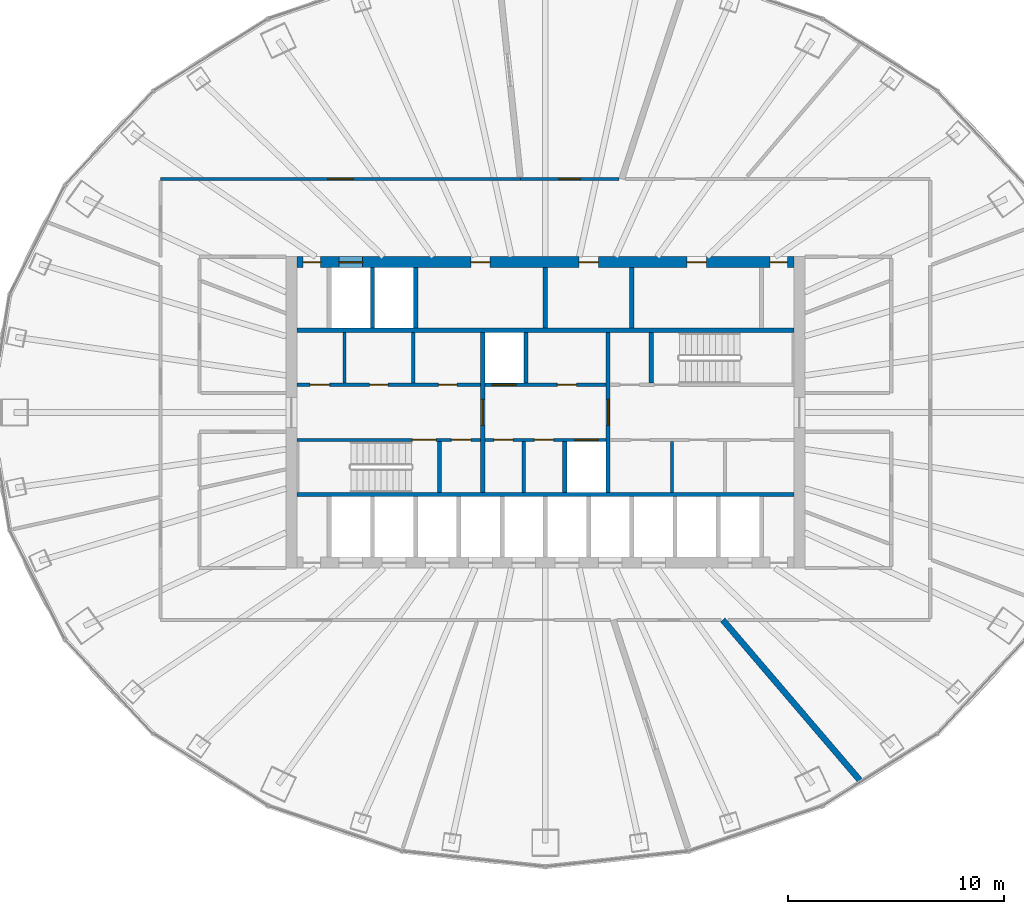
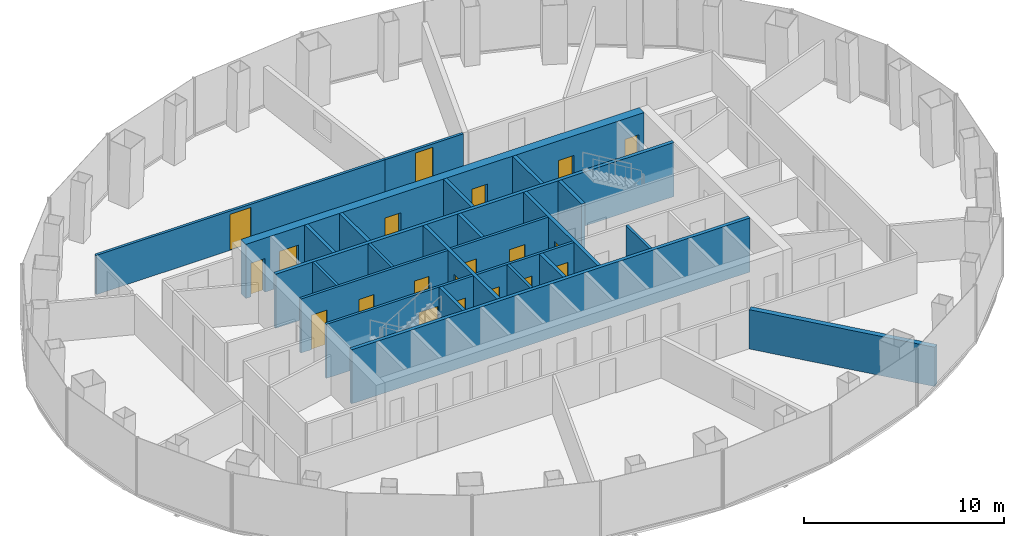
# One storey, part 9 of 12: 24 walls, 20 doors, 20 openings.
"""IFC4 building model written with IfcOpenShell, lengths in metres."""

from ifc_helpers import new_model, si_unit, direction, frame, frame_2d, origin, place, context, subcontext, project, spatial, rectangle, extrude, material, layer, layer_set, type_object, element, fill, save


model = new_model("IFC4")

# Units and contexts
model_context = context("Model", 3, precision=1e-05, world=origin(), true_north=direction((0.0, 1.0)))
body_context = subcontext(model_context, "Body", "Model", "MODEL_VIEW")
ifc_project = project(units=[si_unit("LENGTHUNIT", "METRE"), si_unit("AREAUNIT", "SQUARE_METRE"), si_unit("VOLUMEUNIT", "CUBIC_METRE"), si_unit("PLANEANGLEUNIT", "RADIAN"), si_unit("MASSUNIT", "GRAM", prefix="KILO")], contexts=[model_context])

# Site, building, storey
site_placement = place(None, origin())
site = spatial("IfcSite", under=ifc_project, at=site_placement, CompositionType="ELEMENT")
building_placement = place(site_placement, origin())
building = spatial("IfcBuilding", under=site, at=building_placement, Name="Siaravel Broadcast Tower", CompositionType="ELEMENT")
storey_placement = place(building_placement, frame((0.0, 0.0, 111.89990234375)))
storey = spatial("IfcBuildingStorey", under=building, at=storey_placement, Name="L26", CompositionType="ELEMENT", Elevation=111.89990234375)

# Walls
ifc_material_1 = material(Name="Double-leaf acoustic partition", Category="gypsum")
ifc_layer_1 = layer(ifc_material_1, 0.280029296875)
ifc_layer_set_1 = layer_set([ifc_layer_1], Name="Double-leaf acoustic partition")
wall_type_1 = type_object("IfcWallType", Name="Acoustic double-leaf wall 280", PredefinedType="PARTITIONING", material=ifc_layer_set_1)
wall_1_placement = place(storey_placement, frame((8.206298828125, -9.60009765625, 0.0), z_axis=(0.0, 0.0, 1.0), x_axis=(0.649790619, -0.760113249, 0.0)))
element("IfcWall", 1, at=wall_1_placement, inside=storey, type_object=wall_type_1, Name="L26 partition 8", PredefinedType="PARTITIONING", context=body_context, shape_type="SweptSolid", body=[
    extrude(rectangle(XDim=9.849853515625, YDim=0.280029296875, at=frame_2d((4.9248046875, 0.0))), origin(), (0.0, 0.0, 1.0), 2.400146484375),
])
ifc_material_2 = material(Name="Concrete blockwork", Category="masonry")
ifc_layer_2 = layer(ifc_material_2, 0.14990234375)
ifc_layer_set_2 = layer_set([ifc_layer_2], Name="Concrete blockwork")
wall_type_2 = type_object("IfcWallType", Name="Core partition 150", PredefinedType="PARTITIONING", material=ifc_layer_set_2)
for number, where, z_axis, x_axis, name in (
    (2, (-9.29296875, 1.35009765625, 0.0), (0.0, 0.0, 1.0), (0.0, 1.0, 0.0), "L26 core partition PNW0"),
    (3, (-6.10888671875, 1.35009765625, 0.0), (0.0, 0.0, 1.0), (0.0, 1.0, 0.0), "L26 core partition PNW1"),
    (4, (5.863037109375, -3.699951171875, 0.0), (0.0, 0.0, 1.0), (0.0, 1.0, 0.0), "L26 core partition PSE0"),
    (5, (-1.0, -3.699951171875, 0.0), (0.0, 0.0, 1.0), (0.0, 1.0, 0.0), "L26 core partition PSM0"),
):
    element("IfcWall", number, at=place(storey_placement, frame(where, z_axis=z_axis, x_axis=x_axis)), inside=storey, type_object=wall_type_2, Name=name, PredefinedType="PARTITIONING", context=body_context, shape_type="SweptSolid", body=[
        extrude(rectangle(XDim=2.349853515625, YDim=0.14990234375, at=frame_2d((1.1748046875, 0.0))), origin(), (0.0, 0.0, 1.0), 3.300048828125),
    ])
ifc_layer_3 = layer(ifc_material_2, 0.199951171875)
ifc_layer_set_3 = layer_set([ifc_layer_3], Name="Concrete blockwork")
wall_type_3 = type_object("IfcWallType", Name="Core partition 200", PredefinedType="PARTITIONING", material=ifc_layer_set_3)
for number, where, z_axis, x_axis, name in (
    (6, (0.0, 3.89990234375, 0.0), (0.0, 0.0, 1.0), (0.0, 1.0, 0.0), "L26 core partition PFN2"),
    (7, (4.0, 3.89990234375, 0.0), (0.0, 0.0, 1.0), (0.0, 1.0, 0.0), "L26 core partition PFN5"),
):
    element("IfcWall", number, at=place(storey_placement, frame(where, z_axis=z_axis, x_axis=x_axis)), inside=storey, type_object=wall_type_3, Name=name, PredefinedType="PARTITIONING", context=body_context, shape_type="SweptSolid", body=[
        extrude(rectangle(XDim=2.800048828125, YDim=0.199951171875, at=frame_2d((1.39990234375, 0.0))), origin(), (0.0, 0.0, 1.0), 3.300048828125),
    ])

# Wall, openings, doors
ifc_material_3 = material(Name="Concrete C60/75", Category="concrete")
ifc_layer_4 = layer(ifc_material_3, 0.5)
ifc_layer_set_4 = layer_set([ifc_layer_4], Name="Concrete C60/75")
wall_type_4 = type_object("IfcWallType", Name="Core wall 500", PredefinedType="SHEAR", material=ifc_layer_set_4)
wall_2_placement = place(storey_placement, frame((-11.5, 6.949951171875, 0.0), z_axis=(0.0, 0.0, 1.0), x_axis=(1.0, 0.0, 0.0)))
wall_2 = element("IfcWall", 8, at=wall_2_placement, inside=storey, type_object=wall_type_4, Name="L26 core wall ON", PredefinedType="SHEAR", context=body_context, shape_type="SweptSolid", body=[
    extrude(rectangle(XDim=23.0, YDim=0.5, at=frame_2d((11.5, 0.0))), origin(), (0.0, 0.0, 1.0), 3.300048828125),
])
opening_1_placement = place(wall_2_placement, frame((1.949951171875, 0.0, 0.0)))
opening_1 = element("IfcOpeningElement", 9, at=opening_1_placement, cuts=wall_2, Name="Opening LD-SV2-L26", PredefinedType="OPENING", context=body_context, shape_type="SweptSolid", body=[
    extrude(rectangle(XDim=1.10009765625, YDim=2.199951171875, at=frame_2d((0.550048828125, 1.10009765625))), frame((0.0, 0.260009765625, 0.0), z_axis=(0.0, -1.0, 0.0), x_axis=(1.0, 0.0, 0.0)), (0.0, 0.0, 1.0), 0.52001953125),
])
opening_2_placement = place(wall_2_placement, frame((8.050048828125, 0.0, 0.0)))
opening_2 = element("IfcOpeningElement", 10, at=opening_2_placement, cuts=wall_2, Name="Opening L26-DFN2", PredefinedType="OPENING", context=body_context, shape_type="SweptSolid", body=[
    extrude(rectangle(XDim=0.89990234375, YDim=2.10009765625, at=frame_2d((0.449951171875, 1.050048828125))), frame((0.0, 0.260009765625, 0.0), z_axis=(0.0, -1.0, 0.0), x_axis=(1.0, 0.0, 0.0)), (0.0, 0.0, 1.0), 0.52001953125),
])
opening_3_placement = place(wall_2_placement, frame((13.050048828125, 0.0, 0.0)))
opening_3 = element("IfcOpeningElement", 11, at=opening_3_placement, cuts=wall_2, Name="Opening L26-DFN5", PredefinedType="OPENING", context=body_context, shape_type="SweptSolid", body=[
    extrude(rectangle(XDim=0.89990234375, YDim=2.10009765625, at=frame_2d((0.449951171875, 1.050048828125))), frame((0.0, 0.260009765625, 0.0), z_axis=(0.0, -1.0, 0.0), x_axis=(1.0, 0.0, 0.0)), (0.0, 0.0, 1.0), 0.52001953125),
])
opening_4_placement = place(wall_2_placement, frame((18.050048828125, 0.0, 0.0)))
opening_4 = element("IfcOpeningElement", 12, at=opening_4_placement, cuts=wall_2, Name="Opening L26-DFN7", PredefinedType="OPENING", context=body_context, shape_type="SweptSolid", body=[
    extrude(rectangle(XDim=0.89990234375, YDim=2.10009765625, at=frame_2d((0.449951171875, 1.050048828125))), frame((0.0, 0.260009765625, 0.0), z_axis=(0.0, -1.0, 0.0), x_axis=(1.0, 0.0, 0.0)), (0.0, 0.0, 1.0), 0.52001953125),
])
opening_5_placement = place(wall_2_placement, frame((0.300048828125, 0.0, 0.0)))
opening_5 = element("IfcOpeningElement", 13, at=opening_5_placement, cuts=wall_2, Name="Opening L26-DRNW", PredefinedType="OPENING", context=body_context, shape_type="SweptSolid", body=[
    extrude(rectangle(XDim=0.800048828125, YDim=2.050048828125, at=frame_2d((0.39990234375, 1.02490234375))), frame((0.0, 0.260009765625, 0.0), z_axis=(0.0, -1.0, 0.0), x_axis=(1.0, 0.0, 0.0)), (0.0, 0.0, 1.0), 0.52001953125),
])
opening_6_placement = place(wall_2_placement, frame((21.89990234375, 0.0, 0.0)))
opening_6 = element("IfcOpeningElement", 14, at=opening_6_placement, cuts=wall_2, Name="Opening L26-DRNE", PredefinedType="OPENING", context=body_context, shape_type="SweptSolid", body=[
    extrude(rectangle(XDim=0.800048828125, YDim=2.050048828125, at=frame_2d((0.39990234375, 1.02490234375))), frame((0.0, 0.260009765625, 0.0), z_axis=(0.0, -1.0, 0.0), x_axis=(1.0, 0.0, 0.0)), (0.0, 0.0, 1.0), 0.52001953125),
])
ifc_material_4 = material(Name="Timber veneer", Category="wood")
door_type_1 = type_object("IfcDoorType", Name="Core room door 900", OperationType="SINGLE_SWING_LEFT", PredefinedType="DOOR", material=ifc_material_4)
door_1_placement = place(opening_2_placement, origin())
door_1 = element("IfcDoor", 15, at=door_1_placement, inside=storey, type_object=door_type_1, Name="L26 door DFN2", OperationType="SINGLE_SWING_LEFT", OverallHeight=2.10009765625, OverallWidth=0.89990234375, PredefinedType="DOOR", context=body_context, shape_type="SweptSolid", body=[
    extrude(rectangle(XDim=0.89990234375, YDim=2.10009765625, at=frame_2d((0.449951171875, 1.050048828125))), frame((0.0, 0.02490234375, 0.0), z_axis=(0.0, -1.0, 0.0), x_axis=(1.0, 0.0, 0.0)), (0.0, 0.0, 1.0), 0.050048828125),
])
fill(opening_2, door_1)
door_2_placement = place(opening_3_placement, origin())
door_2 = element("IfcDoor", 16, at=door_2_placement, inside=storey, type_object=door_type_1, Name="L26 door DFN5", OperationType="SINGLE_SWING_LEFT", OverallHeight=2.10009765625, OverallWidth=0.89990234375, PredefinedType="DOOR", context=body_context, shape_type="SweptSolid", body=[
    extrude(rectangle(XDim=0.89990234375, YDim=2.10009765625, at=frame_2d((0.449951171875, 1.050048828125))), frame((0.0, 0.02490234375, 0.0), z_axis=(0.0, -1.0, 0.0), x_axis=(1.0, 0.0, 0.0)), (0.0, 0.0, 1.0), 0.050048828125),
])
fill(opening_3, door_2)
door_3_placement = place(opening_4_placement, origin())
door_3 = element("IfcDoor", 17, at=door_3_placement, inside=storey, type_object=door_type_1, Name="L26 door DFN7", OperationType="SINGLE_SWING_LEFT", OverallHeight=2.10009765625, OverallWidth=0.89990234375, PredefinedType="DOOR", context=body_context, shape_type="SweptSolid", body=[
    extrude(rectangle(XDim=0.89990234375, YDim=2.10009765625, at=frame_2d((0.449951171875, 1.050048828125))), frame((0.0, 0.02490234375, 0.0), z_axis=(0.0, -1.0, 0.0), x_axis=(1.0, 0.0, 0.0)), (0.0, 0.0, 1.0), 0.050048828125),
])
fill(opening_4, door_3)
ifc_material_5 = material(Name="Steel", Category="steel")
door_type_2 = type_object("IfcDoorType", Name="Riser door 800", OperationType="SINGLE_SWING_LEFT", PredefinedType="DOOR", material=ifc_material_5)
door_4_placement = place(opening_5_placement, origin())
door_4 = element("IfcDoor", 18, at=door_4_placement, inside=storey, type_object=door_type_2, Name="L26 door DRNW", OperationType="SINGLE_SWING_LEFT", OverallHeight=2.050048828125, OverallWidth=0.800048828125, PredefinedType="DOOR", context=body_context, shape_type="SweptSolid", body=[
    extrude(rectangle(XDim=0.800048828125, YDim=2.050048828125, at=frame_2d((0.39990234375, 1.02490234375))), frame((0.0, 0.02490234375, 0.0), z_axis=(0.0, -1.0, 0.0), x_axis=(1.0, 0.0, 0.0)), (0.0, 0.0, 1.0), 0.050048828125),
])
fill(opening_5, door_4)
door_5_placement = place(opening_6_placement, origin())
door_5 = element("IfcDoor", 19, at=door_5_placement, inside=storey, type_object=door_type_2, Name="L26 door DRNE", OperationType="SINGLE_SWING_LEFT", OverallHeight=2.050048828125, OverallWidth=0.800048828125, PredefinedType="DOOR", context=body_context, shape_type="SweptSolid", body=[
    extrude(rectangle(XDim=0.800048828125, YDim=2.050048828125, at=frame_2d((0.39990234375, 1.02490234375))), frame((0.0, 0.02490234375, 0.0), z_axis=(0.0, -1.0, 0.0), x_axis=(1.0, 0.0, 0.0)), (0.0, 0.0, 1.0), 0.050048828125),
])
fill(opening_6, door_5)
ifc_material_6 = material(Name="Stainless steel 316L", Category="steel")
door_type_3 = type_object("IfcDoorType", Name="Service lift landing door 1100", OperationType="DOUBLE_DOOR_SLIDING", PredefinedType="DOOR", material=ifc_material_6)
door_6_placement = place(opening_1_placement, origin())
door_6 = element("IfcDoor", 20, at=door_6_placement, inside=storey, type_object=door_type_3, Name="Landing door SV2 L26", OperationType="DOUBLE_DOOR_SLIDING", OverallHeight=2.199951171875, OverallWidth=1.10009765625, PredefinedType="DOOR", context=body_context, shape_type="SweptSolid", body=[
    extrude(rectangle(XDim=1.10009765625, YDim=2.199951171875, at=frame_2d((0.550048828125, 1.10009765625))), frame((0.0, 0.02490234375, 0.0), z_axis=(0.0, -1.0, 0.0), x_axis=(1.0, 0.0, 0.0)), (0.0, 0.0, 1.0), 0.050048828125),
])
fill(opening_1, door_6)

ifc_material_7 = material(Name="Gypsum board partition", Category="gypsum")
ifc_layer_5 = layer(ifc_material_7, 0.14990234375)
ifc_layer_set_5 = layer_set([ifc_layer_5], Name="Gypsum board partition")
wall_type_5 = type_object("IfcWallType", Name="Corridor wall 150", PredefinedType="PARTITIONING", material=ifc_layer_set_5)
wall_3_placement = place(storey_placement, frame((-11.5, 1.27490234375, 0.0), z_axis=(0.0, 0.0, 1.0), x_axis=(1.0, 0.0, 0.0)))
wall_3 = element("IfcWall", 21, at=wall_3_placement, inside=storey, type_object=wall_type_5, Name="L26 core partition CNW", PredefinedType="PARTITIONING", context=body_context, shape_type="SweptSolid", body=[
    extrude(rectangle(XDim=8.5, YDim=0.14990234375, at=frame_2d((4.25, 0.0))), origin(), (0.0, 0.0, 1.0), 3.300048828125),
])
opening_7_placement = place(wall_3_placement, frame((0.615966796875, 0.0, 0.0)))
opening_7 = element("IfcOpeningElement", 22, at=opening_7_placement, cuts=wall_3, Name="Opening L26-DNW0", PredefinedType="OPENING", context=body_context, shape_type="SweptSolid", body=[
    extrude(rectangle(XDim=0.89990234375, YDim=2.10009765625, at=frame_2d((0.449951171875, 1.050048828125))), frame((0.0, 0.0849609375, 0.0), z_axis=(0.0, -1.0, 0.0), x_axis=(1.0, 0.0, 0.0)), (0.0, 0.0, 1.0), 0.169921875),
])
opening_8_placement = place(wall_3_placement, frame((3.3740234375, 0.0, 0.0)))
opening_8 = element("IfcOpeningElement", 23, at=opening_8_placement, cuts=wall_3, Name="Opening L26-DNW1", PredefinedType="OPENING", context=body_context, shape_type="SweptSolid", body=[
    extrude(rectangle(XDim=0.85009765625, YDim=2.10009765625, at=frame_2d((0.425048828125, 1.050048828125))), frame((0.0, 0.0849609375, 0.0), z_axis=(0.0, -1.0, 0.0), x_axis=(1.0, 0.0, 0.0)), (0.0, 0.0, 1.0), 0.169921875),
])
opening_9_placement = place(wall_3_placement, frame((6.55810546875, 0.0, 0.0)))
opening_9 = element("IfcOpeningElement", 24, at=opening_9_placement, cuts=wall_3, Name="Opening L26-DNW2", PredefinedType="OPENING", context=body_context, shape_type="SweptSolid", body=[
    extrude(rectangle(XDim=0.85009765625, YDim=2.10009765625, at=frame_2d((0.425048828125, 1.050048828125))), frame((0.0, 0.0849609375, 0.0), z_axis=(0.0, -1.0, 0.0), x_axis=(1.0, 0.0, 0.0)), (0.0, 0.0, 1.0), 0.169921875),
])
door_7_placement = place(opening_7_placement, origin())
door_7 = element("IfcDoor", 25, at=door_7_placement, inside=storey, type_object=door_type_1, Name="L26 door DNW0", OperationType="SINGLE_SWING_LEFT", OverallHeight=2.10009765625, OverallWidth=0.89990234375, PredefinedType="DOOR", context=body_context, shape_type="SweptSolid", body=[
    extrude(rectangle(XDim=0.89990234375, YDim=2.10009765625, at=frame_2d((0.449951171875, 1.050048828125))), frame((0.0, 0.02490234375, 0.0), z_axis=(0.0, -1.0, 0.0), x_axis=(1.0, 0.0, 0.0)), (0.0, 0.0, 1.0), 0.050048828125),
])
fill(opening_7, door_7)
door_type_4 = type_object("IfcDoorType", Name="Core toilet door 850", OperationType="SINGLE_SWING_LEFT", PredefinedType="DOOR", material=ifc_material_4)
door_8_placement = place(opening_8_placement, origin())
door_8 = element("IfcDoor", 26, at=door_8_placement, inside=storey, type_object=door_type_4, Name="L26 door DNW1", OperationType="SINGLE_SWING_LEFT", OverallHeight=2.10009765625, OverallWidth=0.85009765625, PredefinedType="DOOR", context=body_context, shape_type="SweptSolid", body=[
    extrude(rectangle(XDim=0.85009765625, YDim=2.10009765625, at=frame_2d((0.425048828125, 1.050048828125))), frame((0.0, 0.02490234375, 0.0), z_axis=(0.0, -1.0, 0.0), x_axis=(1.0, 0.0, 0.0)), (0.0, 0.0, 1.0), 0.050048828125),
])
fill(opening_8, door_8)
door_9_placement = place(opening_9_placement, origin())
door_9 = element("IfcDoor", 27, at=door_9_placement, inside=storey, type_object=door_type_4, Name="L26 door DNW2", OperationType="SINGLE_SWING_LEFT", OverallHeight=2.10009765625, OverallWidth=0.85009765625, PredefinedType="DOOR", context=body_context, shape_type="SweptSolid", body=[
    extrude(rectangle(XDim=0.85009765625, YDim=2.10009765625, at=frame_2d((0.425048828125, 1.050048828125))), frame((0.0, 0.02490234375, 0.0), z_axis=(0.0, -1.0, 0.0), x_axis=(1.0, 0.0, 0.0)), (0.0, 0.0, 1.0), 0.050048828125),
])
fill(opening_9, door_9)

# Wall, opening, door
wall_4_placement = place(storey_placement, frame((-1.153564453125, 10.800048828125, 0.0), z_axis=(0.0, 0.0, 1.0), x_axis=(-1.0, 0.0, 0.0)))
wall_4 = element("IfcWall", 28, at=wall_4_placement, inside=storey, type_object=wall_type_5, Name="L26 partition 1", PredefinedType="PARTITIONING", context=body_context, shape_type="SweptSolid", body=[
    extrude(rectangle(XDim=16.646484375, YDim=0.14990234375, at=frame_2d((8.3232421875, 0.0))), origin(), (0.0, 0.0, 1.0), 2.400146484375),
])
opening_10_placement = place(wall_4_placement, frame((7.72314453125, 0.0, 0.0)))
opening_10 = element("IfcOpeningElement", 29, at=opening_10_placement, cuts=wall_4, Name="Opening L26-011", PredefinedType="OPENING", context=body_context, shape_type="SweptSolid", body=[
    extrude(rectangle(XDim=1.199951171875, YDim=2.199951171875, at=frame_2d((0.60009765625, 1.10009765625))), frame((0.0, 0.0849609375, 0.0), z_axis=(0.0, -1.0, 0.0), x_axis=(1.0, 0.0, 0.0)), (0.0, 0.0, 1.0), 0.169921875),
])
door_type_5 = type_object("IfcDoorType", Name="Office double door 1200", OperationType="DOUBLE_DOOR_SINGLE_SWING", PredefinedType="DOOR", material=ifc_material_4)
door_10_placement = place(opening_10_placement, origin())
door_10 = element("IfcDoor", 30, at=door_10_placement, inside=storey, type_object=door_type_5, Name="L26 door to Open plan production office", OperationType="DOUBLE_DOOR_SINGLE_SWING", OverallHeight=2.199951171875, OverallWidth=1.199951171875, PredefinedType="DOOR", context=body_context, shape_type="SweptSolid", body=[
    extrude(rectangle(XDim=1.199951171875, YDim=2.199951171875, at=frame_2d((0.60009765625, 1.10009765625))), frame((0.0, 0.02490234375, 0.0), z_axis=(0.0, -1.0, 0.0), x_axis=(1.0, 0.0, 0.0)), (0.0, 0.0, 1.0), 0.050048828125),
])
fill(opening_10, door_10)

wall_5_placement = place(storey_placement, frame((3.397705078125, 10.800048828125, 0.0), z_axis=(0.0, 0.0, 1.0), x_axis=(-1.0, 0.0, 0.0)))
wall_5 = element("IfcWall", 31, at=wall_5_placement, inside=storey, type_object=wall_type_5, Name="L26 partition 23", PredefinedType="PARTITIONING", context=body_context, shape_type="SweptSolid", body=[
    extrude(rectangle(XDim=4.55126953125, YDim=0.14990234375, at=frame_2d((2.275634765625, 0.0))), origin(), (0.0, 0.0, 1.0), 2.400146484375),
])
opening_11_placement = place(wall_5_placement, frame((1.775634765625, 0.0, 0.0)))
opening_11 = element("IfcOpeningElement", 32, at=opening_11_placement, cuts=wall_5, Name="Opening L26-009", PredefinedType="OPENING", context=body_context, shape_type="SweptSolid", body=[
    extrude(rectangle(XDim=1.0, YDim=2.199951171875, at=frame_2d((0.5, 1.10009765625))), frame((0.0, 0.0849609375, 0.0), z_axis=(0.0, -1.0, 0.0), x_axis=(1.0, 0.0, 0.0)), (0.0, 0.0, 1.0), 0.169921875),
])
ifc_material_8 = material(Name="Acoustic timber and steel", Category="steel")
door_type_6 = type_object("IfcDoorType", Name="Acoustic door 1000", OperationType="SINGLE_SWING_LEFT", PredefinedType="DOOR", material=ifc_material_8)
door_11_placement = place(opening_11_placement, origin())
door_11 = element("IfcDoor", 33, at=door_11_placement, inside=storey, type_object=door_type_6, Name="L26 door to Viewing theatre", OperationType="SINGLE_SWING_LEFT", OverallHeight=2.199951171875, OverallWidth=1.0, PredefinedType="DOOR", context=body_context, shape_type="SweptSolid", body=[
    extrude(rectangle(XDim=1.0, YDim=2.199951171875, at=frame_2d((0.5, 1.10009765625))), frame((0.0, 0.02490234375, 0.0), z_axis=(0.0, -1.0, 0.0), x_axis=(1.0, 0.0, 0.0)), (0.0, 0.0, 1.0), 0.050048828125),
])
fill(opening_11, door_11)

# Wall, openings, doors
ifc_layer_6 = layer(ifc_material_3, 0.14990234375)
ifc_layer_set_6 = layer_set([ifc_layer_6], Name="Concrete C60/75")
wall_type_6 = type_object("IfcWallType", Name="Shaft wall 150", PredefinedType="SHEAR", material=ifc_layer_set_6)
wall_6_placement = place(storey_placement, frame((-11.5, -1.27490234375, 0.0), z_axis=(0.0, 0.0, 1.0), x_axis=(1.0, 0.0, 0.0)))
wall_6 = element("IfcWall", 34, at=wall_6_placement, inside=storey, type_object=wall_type_6, Name="L26 core wall CSW", PredefinedType="SHEAR", context=body_context, shape_type="SweptSolid", body=[
    extrude(rectangle(XDim=8.5, YDim=0.14990234375, at=frame_2d((4.25, 0.0))), origin(), (0.0, 0.0, 1.0), 3.300048828125),
])
opening_12_placement = place(wall_6_placement, frame((5.35009765625, 0.0, 0.0)))
opening_12 = element("IfcOpeningElement", 35, at=opening_12_placement, cuts=wall_6, Name="Opening L26-DS-1", PredefinedType="OPENING", context=body_context, shape_type="SweptSolid", body=[
    extrude(rectangle(XDim=1.10009765625, YDim=2.14990234375, at=frame_2d((0.550048828125, 1.074951171875))), frame((0.0, 0.0849609375, 0.0), z_axis=(0.0, -1.0, 0.0), x_axis=(1.0, 0.0, 0.0)), (0.0, 0.0, 1.0), 0.169921875),
])
opening_13_placement = place(wall_6_placement, frame((7.14990234375, 0.0, 0.0)))
opening_13 = element("IfcOpeningElement", 36, at=opening_13_placement, cuts=wall_6, Name="Opening L26-DSW0", PredefinedType="OPENING", context=body_context, shape_type="SweptSolid", body=[
    extrude(rectangle(XDim=0.89990234375, YDim=2.10009765625, at=frame_2d((0.449951171875, 1.050048828125))), frame((0.0, 0.0849609375, 0.0), z_axis=(0.0, -1.0, 0.0), x_axis=(1.0, 0.0, 0.0)), (0.0, 0.0, 1.0), 0.169921875),
])
door_12_placement = place(opening_13_placement, origin())
door_12 = element("IfcDoor", 37, at=door_12_placement, inside=storey, type_object=door_type_1, Name="L26 door DSW0", OperationType="SINGLE_SWING_LEFT", OverallHeight=2.10009765625, OverallWidth=0.89990234375, PredefinedType="DOOR", context=body_context, shape_type="SweptSolid", body=[
    extrude(rectangle(XDim=0.89990234375, YDim=2.10009765625, at=frame_2d((0.449951171875, 1.050048828125))), frame((0.0, 0.02490234375, 0.0), z_axis=(0.0, -1.0, 0.0), x_axis=(1.0, 0.0, 0.0)), (0.0, 0.0, 1.0), 0.050048828125),
])
fill(opening_13, door_12)
door_type_7 = type_object("IfcDoorType", Name="Stair door 1100", OperationType="SINGLE_SWING_LEFT", PredefinedType="DOOR", material=ifc_material_5)
door_13_placement = place(opening_12_placement, origin())
door_13 = element("IfcDoor", 38, at=door_13_placement, inside=storey, type_object=door_type_7, Name="L26 door DS-1", OperationType="SINGLE_SWING_LEFT", OverallHeight=2.14990234375, OverallWidth=1.10009765625, PredefinedType="DOOR", context=body_context, shape_type="SweptSolid", body=[
    extrude(rectangle(XDim=1.10009765625, YDim=2.14990234375, at=frame_2d((0.550048828125, 1.074951171875))), frame((0.0, 0.02490234375, 0.0), z_axis=(0.0, -1.0, 0.0), x_axis=(1.0, 0.0, 0.0)), (0.0, 0.0, 1.0), 0.050048828125),
])
fill(opening_12, door_13)

wall_7_placement = place(storey_placement, frame((-2.800048828125, -1.27490234375, 0.0), z_axis=(0.0, 0.0, 1.0), x_axis=(1.0, 0.0, 0.0)))
wall_7 = element("IfcWall", 39, at=wall_7_placement, inside=storey, type_object=wall_type_6, Name="L26 core wall CSM", PredefinedType="SHEAR", context=body_context, shape_type="SweptSolid", body=[
    extrude(rectangle(XDim=5.60009765625, YDim=0.14990234375, at=frame_2d((2.800048828125, 0.0))), origin(), (0.0, 0.0, 1.0), 3.300048828125),
])
opening_14_placement = place(wall_7_placement, frame((4.14990234375, 0.0, 0.0)))
opening_14 = element("IfcOpeningElement", 40, at=opening_14_placement, cuts=wall_7, Name="Opening LD-FL2-L26", PredefinedType="OPENING", context=body_context, shape_type="SweptSolid", body=[
    extrude(rectangle(XDim=1.10009765625, YDim=2.199951171875, at=frame_2d((0.550048828125, 1.10009765625))), frame((0.0, 0.0849609375, 0.0), z_axis=(0.0, -1.0, 0.0), x_axis=(1.0, 0.0, 0.0)), (0.0, 0.0, 1.0), 0.169921875),
])
opening_15_placement = place(wall_7_placement, frame((0.41259765625, 0.0, 0.0)))
opening_15 = element("IfcOpeningElement", 41, at=opening_15_placement, cuts=wall_7, Name="Opening L26-DSM0", PredefinedType="OPENING", context=body_context, shape_type="SweptSolid", body=[
    extrude(rectangle(XDim=0.89990234375, YDim=2.10009765625, at=frame_2d((0.449951171875, 1.050048828125))), frame((0.0, 0.0849609375, 0.0), z_axis=(0.0, -1.0, 0.0), x_axis=(1.0, 0.0, 0.0)), (0.0, 0.0, 1.0), 0.169921875),
])
opening_16_placement = place(wall_7_placement, frame((2.28759765625, 0.0, 0.0)))
opening_16 = element("IfcOpeningElement", 42, at=opening_16_placement, cuts=wall_7, Name="Opening L26-DSM1", PredefinedType="OPENING", context=body_context, shape_type="SweptSolid", body=[
    extrude(rectangle(XDim=0.89990234375, YDim=2.10009765625, at=frame_2d((0.449951171875, 1.050048828125))), frame((0.0, 0.0849609375, 0.0), z_axis=(0.0, -1.0, 0.0), x_axis=(1.0, 0.0, 0.0)), (0.0, 0.0, 1.0), 0.169921875),
])
door_14_placement = place(opening_15_placement, origin())
door_14 = element("IfcDoor", 43, at=door_14_placement, inside=storey, type_object=door_type_1, Name="L26 door DSM0", OperationType="SINGLE_SWING_LEFT", OverallHeight=2.10009765625, OverallWidth=0.89990234375, PredefinedType="DOOR", context=body_context, shape_type="SweptSolid", body=[
    extrude(rectangle(XDim=0.89990234375, YDim=2.10009765625, at=frame_2d((0.449951171875, 1.050048828125))), frame((0.0, 0.02490234375, 0.0), z_axis=(0.0, -1.0, 0.0), x_axis=(1.0, 0.0, 0.0)), (0.0, 0.0, 1.0), 0.050048828125),
])
fill(opening_15, door_14)
door_15_placement = place(opening_16_placement, origin())
door_15 = element("IfcDoor", 44, at=door_15_placement, inside=storey, type_object=door_type_1, Name="L26 door DSM1", OperationType="SINGLE_SWING_LEFT", OverallHeight=2.10009765625, OverallWidth=0.89990234375, PredefinedType="DOOR", context=body_context, shape_type="SweptSolid", body=[
    extrude(rectangle(XDim=0.89990234375, YDim=2.10009765625, at=frame_2d((0.449951171875, 1.050048828125))), frame((0.0, 0.02490234375, 0.0), z_axis=(0.0, -1.0, 0.0), x_axis=(1.0, 0.0, 0.0)), (0.0, 0.0, 1.0), 0.050048828125),
])
fill(opening_16, door_15)
door_type_8 = type_object("IfcDoorType", Name="Firefighting lift landing door 1100", OperationType="DOUBLE_DOOR_SLIDING", PredefinedType="DOOR", material=ifc_material_6)
door_16_placement = place(opening_14_placement, origin())
door_16 = element("IfcDoor", 45, at=door_16_placement, inside=storey, type_object=door_type_8, Name="Landing door FL2 L26", OperationType="DOUBLE_DOOR_SLIDING", OverallHeight=2.199951171875, OverallWidth=1.10009765625, PredefinedType="DOOR", context=body_context, shape_type="SweptSolid", body=[
    extrude(rectangle(XDim=1.10009765625, YDim=2.199951171875, at=frame_2d((0.550048828125, 1.10009765625))), frame((0.0, 0.02490234375, 0.0), z_axis=(0.0, -1.0, 0.0), x_axis=(1.0, 0.0, 0.0)), (0.0, 0.0, 1.0), 0.050048828125),
])
fill(opening_14, door_16)

wall_8_placement = place(storey_placement, frame((-2.800048828125, 1.27490234375, 0.0), z_axis=(0.0, 0.0, 1.0), x_axis=(1.0, 0.0, 0.0)))
wall_8 = element("IfcWall", 46, at=wall_8_placement, inside=storey, type_object=wall_type_6, Name="L26 core wall CNM", PredefinedType="SHEAR", context=body_context, shape_type="SweptSolid", body=[
    extrude(rectangle(XDim=5.60009765625, YDim=0.14990234375, at=frame_2d((2.800048828125, 0.0))), origin(), (0.0, 0.0, 1.0), 3.300048828125),
])
opening_17_placement = place(wall_8_placement, frame((0.35009765625, 0.0, 0.0)))
opening_17 = element("IfcOpeningElement", 47, at=opening_17_placement, cuts=wall_8, Name="Opening LD-FL1-L26", PredefinedType="OPENING", context=body_context, shape_type="SweptSolid", body=[
    extrude(rectangle(XDim=1.10009765625, YDim=2.199951171875, at=frame_2d((0.550048828125, 1.10009765625))), frame((0.0, 0.0849609375, 0.0), z_axis=(0.0, -1.0, 0.0), x_axis=(1.0, 0.0, 0.0)), (0.0, 0.0, 1.0), 0.169921875),
])
opening_18_placement = place(wall_8_placement, frame((3.35009765625, 0.0, 0.0)))
opening_18 = element("IfcOpeningElement", 48, at=opening_18_placement, cuts=wall_8, Name="Opening L26-DNM0", PredefinedType="OPENING", context=body_context, shape_type="SweptSolid", body=[
    extrude(rectangle(XDim=0.89990234375, YDim=2.10009765625, at=frame_2d((0.449951171875, 1.050048828125))), frame((0.0, 0.0849609375, 0.0), z_axis=(0.0, -1.0, 0.0), x_axis=(1.0, 0.0, 0.0)), (0.0, 0.0, 1.0), 0.169921875),
])
door_17_placement = place(opening_18_placement, origin())
door_17 = element("IfcDoor", 49, at=door_17_placement, inside=storey, type_object=door_type_1, Name="L26 door DNM0", OperationType="SINGLE_SWING_LEFT", OverallHeight=2.10009765625, OverallWidth=0.89990234375, PredefinedType="DOOR", context=body_context, shape_type="SweptSolid", body=[
    extrude(rectangle(XDim=0.89990234375, YDim=2.10009765625, at=frame_2d((0.449951171875, 1.050048828125))), frame((0.0, 0.02490234375, 0.0), z_axis=(0.0, -1.0, 0.0), x_axis=(1.0, 0.0, 0.0)), (0.0, 0.0, 1.0), 0.050048828125),
])
fill(opening_18, door_17)
door_18_placement = place(opening_17_placement, origin())
door_18 = element("IfcDoor", 50, at=door_18_placement, inside=storey, type_object=door_type_8, Name="Landing door FL1 L26", OperationType="DOUBLE_DOOR_SLIDING", OverallHeight=2.199951171875, OverallWidth=1.10009765625, PredefinedType="DOOR", context=body_context, shape_type="SweptSolid", body=[
    extrude(rectangle(XDim=1.10009765625, YDim=2.199951171875, at=frame_2d((0.550048828125, 1.10009765625))), frame((0.0, 0.02490234375, 0.0), z_axis=(0.0, -1.0, 0.0), x_axis=(1.0, 0.0, 0.0)), (0.0, 0.0, 1.0), 0.050048828125),
])
fill(opening_17, door_18)

# Walls
ifc_layer_7 = layer(ifc_material_3, 0.199951171875)
ifc_layer_set_7 = layer_set([ifc_layer_7], Name="Concrete C60/75")
wall_type_7 = type_object("IfcWallType", Name="Shaft wall 200", PredefinedType="SHEAR", material=ifc_layer_set_7)
for number, where, z_axis, x_axis, name in (
    (51, (-11.5, -3.800048828125, 0.0), (0.0, 0.0, 1.0), (1.0, 0.0, 0.0), "L26 core wall BS"),
    (52, (-11.5, 3.800048828125, 0.0), (0.0, 0.0, 1.0), (1.0, 0.0, 0.0), "L26 core wall BN"),
):
    element("IfcWall", number, at=place(storey_placement, frame(where, z_axis=z_axis, x_axis=x_axis)), inside=storey, type_object=wall_type_7, Name=name, PredefinedType="SHEAR", context=body_context, shape_type="SweptSolid", body=[
        extrude(rectangle(XDim=23.0, YDim=0.199951171875, at=frame_2d((11.5, 0.0))), origin(), (0.0, 0.0, 1.0), 3.300048828125),
    ])
for number, where, z_axis, x_axis, name in (
    (53, (-8.0, 3.89990234375, 0.0), (0.0, 0.0, 1.0), (0.0, 1.0, 0.0), "L26 core wall SWN1"),
    (54, (-6.0, 3.89990234375, 0.0), (0.0, 0.0, 1.0), (0.0, 1.0, 0.0), "L26 core wall SWN2"),
):
    element("IfcWall", number, at=place(storey_placement, frame(where, z_axis=z_axis, x_axis=x_axis)), inside=storey, type_object=wall_type_7, Name=name, PredefinedType="SHEAR", context=body_context, shape_type="SweptSolid", body=[
        extrude(rectangle(XDim=2.800048828125, YDim=0.199951171875, at=frame_2d((1.39990234375, 0.0))), origin(), (0.0, 0.0, 1.0), 3.300048828125),
    ])

# Wall, opening, door
wall_9_placement = place(storey_placement, frame((-2.89990234375, -3.699951171875, 0.0), z_axis=(0.0, 0.0, 1.0), x_axis=(0.0, 1.0, 0.0)))
wall_9 = element("IfcWall", 55, at=wall_9_placement, inside=storey, type_object=wall_type_7, Name="L26 core wall LW", PredefinedType="SHEAR", context=body_context, shape_type="SweptSolid", body=[
    extrude(rectangle(XDim=7.39990234375, YDim=0.199951171875, at=frame_2d((3.699951171875, 0.0))), origin(), (0.0, 0.0, 1.0), 3.300048828125),
])
opening_19_placement = place(wall_9_placement, frame((3.10009765625, 0.0, 0.0)))
opening_19 = element("IfcOpeningElement", 56, at=opening_19_placement, cuts=wall_9, Name="Opening L26-DL-W", PredefinedType="OPENING", context=body_context, shape_type="SweptSolid", body=[
    extrude(rectangle(XDim=1.199951171875, YDim=2.199951171875, at=frame_2d((0.60009765625, 1.10009765625))), frame((0.0, 0.10986328125, 0.0), z_axis=(0.0, -1.0, 0.0), x_axis=(1.0, 0.0, 0.0)), (0.0, 0.0, 1.0), 0.219970703125),
])
door_type_9 = type_object("IfcDoorType", Name="Firefighting lobby door 1200", OperationType="SINGLE_SWING_LEFT", PredefinedType="DOOR", material=ifc_material_5)
door_19_placement = place(opening_19_placement, origin())
door_19 = element("IfcDoor", 57, at=door_19_placement, inside=storey, type_object=door_type_9, Name="L26 door DL-W", OperationType="SINGLE_SWING_LEFT", OverallHeight=2.199951171875, OverallWidth=1.199951171875, PredefinedType="DOOR", context=body_context, shape_type="SweptSolid", body=[
    extrude(rectangle(XDim=1.199951171875, YDim=2.199951171875, at=frame_2d((0.60009765625, 1.10009765625))), frame((0.0, 0.02490234375, 0.0), z_axis=(0.0, -1.0, 0.0), x_axis=(1.0, 0.0, 0.0)), (0.0, 0.0, 1.0), 0.050048828125),
])
fill(opening_19, door_19)

wall_10_placement = place(storey_placement, frame((2.89990234375, -3.699951171875, 0.0), z_axis=(0.0, 0.0, 1.0), x_axis=(0.0, 1.0, 0.0)))
wall_10 = element("IfcWall", 58, at=wall_10_placement, inside=storey, type_object=wall_type_7, Name="L26 core wall LE", PredefinedType="SHEAR", context=body_context, shape_type="SweptSolid", body=[
    extrude(rectangle(XDim=7.39990234375, YDim=0.199951171875, at=frame_2d((3.699951171875, 0.0))), origin(), (0.0, 0.0, 1.0), 3.300048828125),
])
opening_20_placement = place(wall_10_placement, frame((3.10009765625, 0.0, 0.0)))
opening_20 = element("IfcOpeningElement", 59, at=opening_20_placement, cuts=wall_10, Name="Opening L26-DL-E", PredefinedType="OPENING", context=body_context, shape_type="SweptSolid", body=[
    extrude(rectangle(XDim=1.199951171875, YDim=2.199951171875, at=frame_2d((0.60009765625, 1.10009765625))), frame((0.0, 0.10986328125, 0.0), z_axis=(0.0, -1.0, 0.0), x_axis=(1.0, 0.0, 0.0)), (0.0, 0.0, 1.0), 0.219970703125),
])
door_20_placement = place(opening_20_placement, origin())
door_20 = element("IfcDoor", 60, at=door_20_placement, inside=storey, type_object=door_type_9, Name="L26 door DL-E", OperationType="SINGLE_SWING_LEFT", OverallHeight=2.199951171875, OverallWidth=1.199951171875, PredefinedType="DOOR", context=body_context, shape_type="SweptSolid", body=[
    extrude(rectangle(XDim=1.199951171875, YDim=2.199951171875, at=frame_2d((0.60009765625, 1.10009765625))), frame((0.0, 0.02490234375, 0.0), z_axis=(0.0, -1.0, 0.0), x_axis=(1.0, 0.0, 0.0)), (0.0, 0.0, 1.0), 0.050048828125),
])
fill(opening_20, door_20)

# Walls
for number, where, z_axis, x_axis, name in (
    (61, (-0.89990234375, 1.35009765625, 0.0), (0.0, 0.0, 1.0), (0.0, 1.0, 0.0), "L26 core wall FF1E"),
    (62, (0.89990234375, -3.699951171875, 0.0), (0.0, 0.0, 1.0), (0.0, 1.0, 0.0), "L26 core wall FF2W"),
    (63, (-4.89990234375, -3.699951171875, 0.0), (0.0, 0.0, 1.0), (0.0, 1.0, 0.0), "L26 core wall ST1E"),
    (64, (4.89990234375, 1.35009765625, 0.0), (0.0, 0.0, 1.0), (0.0, 1.0, 0.0), "L26 core wall ST2W"),
):
    element("IfcWall", number, at=place(storey_placement, frame(where, z_axis=z_axis, x_axis=x_axis)), inside=storey, type_object=wall_type_7, Name=name, PredefinedType="SHEAR", context=body_context, shape_type="SweptSolid", body=[
        extrude(rectangle(XDim=2.349853515625, YDim=0.199951171875, at=frame_2d((1.1748046875, 0.0))), origin(), (0.0, 0.0, 1.0), 3.300048828125),
    ])

save(model, "model.ifc")
